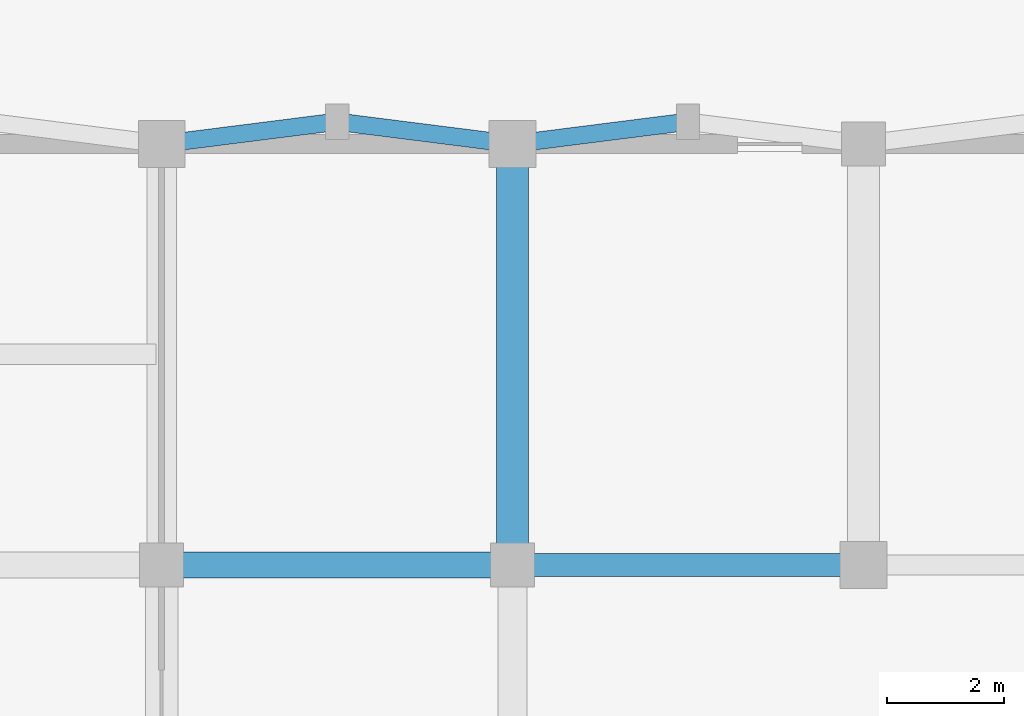
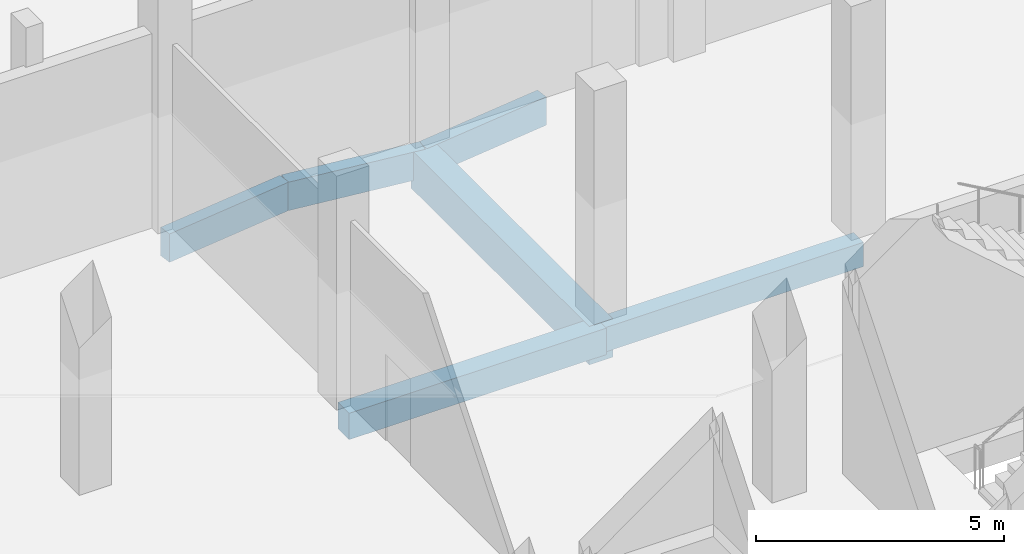
# One storey, part 43 of 103: 6 beams.
"""IFC4 building model written with IfcOpenShell, lengths in metres."""

from ifc_helpers import new_model, si_unit, direction, frame, origin, origin_2d, place, context, subcontext, project, spatial, rectangle, extrude, material, material_profile, profile_set, type_object, element, save


model = new_model("IFC4")

# Units and contexts
model_context = context("Model", 3, precision=1e-05, world=origin(), true_north=direction((0.0, 1.0)))
body_context = subcontext(model_context, "Body", "Model", "MODEL_VIEW")
ifc_project = project(units=[si_unit("LENGTHUNIT", "METRE"), si_unit("AREAUNIT", "SQUARE_METRE"), si_unit("VOLUMEUNIT", "CUBIC_METRE"), si_unit("PLANEANGLEUNIT", "RADIAN"), si_unit("MASSUNIT", "GRAM", prefix="KILO")], contexts=[model_context])

# Site, building, storey
site_placement = place(None, origin())
site = spatial("IfcSite", under=ifc_project, at=site_placement, CompositionType="ELEMENT")
building_placement = place(site_placement, origin())
building = spatial("IfcBuilding", under=site, at=building_placement, Name="Dunvalen Ferry Terminal", CompositionType="ELEMENT")
storey_placement = place(building_placement, origin())
storey = spatial("IfcBuildingStorey", under=building, at=storey_placement, Name="L00", CompositionType="ELEMENT", Elevation=0.0)

# Beams
ifc_material_1 = material(Name="Concrete C35/45", Category="concrete")
ifc_material_profile_1 = material_profile(ifc_material_1, rectangle(XDim=0.39990234375, YDim=0.60009765625, at=origin_2d()), Name="Concrete C35/45")
ifc_profile_set_1 = profile_set([ifc_material_profile_1], Name="Concrete C35/45")
beam_type_1 = type_object("IfcBeamType", Name="STR-BM-RCB600", PredefinedType="BEAM", material=ifc_profile_set_1)
beam_1_placement = place(storey_placement, frame((60.0, 28.800048828125, -0.60009765625), z_axis=(1.0, 0.0, 0.0), x_axis=(0.0, 1.0, 0.0)))
element("IfcBeam", 1, at=beam_1_placement, inside=storey, type_object=beam_type_1, Name="L00 V5P0 Primary Beam X-062", PredefinedType="BEAM", context=body_context, shape_type="SweptSolid", body=[
    extrude(rectangle(XDim=0.39990234375, YDim=0.60009765625, at=origin_2d()), origin(), (0.0, 0.0, 1.0), 6.0),
])
ifc_material_2 = material(Name="Concrete C40/50", Category="concrete")
ifc_material_profile_2 = material_profile(ifc_material_2, rectangle(XDim=0.449951171875, YDim=0.64990234375, at=origin_2d()), Name="Concrete C40/50")
ifc_profile_set_2 = profile_set([ifc_material_profile_2], Name="Concrete C40/50")
beam_type_2 = type_object("IfcBeamType", Name="STR-BM-RCB650W", PredefinedType="BEAM", material=ifc_profile_set_2)
beam_2_placement = place(storey_placement, frame((54.0, 28.800048828125, -0.625), z_axis=(1.0, 0.0, 0.0), x_axis=(0.0, 1.0, 0.0)))
element("IfcBeam", 2, at=beam_2_placement, inside=storey, type_object=beam_type_2, Name="L00 V5P0 Primary Beam X-061", PredefinedType="BEAM", context=body_context, shape_type="SweptSolid", body=[
    extrude(rectangle(XDim=0.449951171875, YDim=0.64990234375, at=origin_2d()), origin(), (0.0, 0.0, 1.0), 6.0),
])
ifc_material_profile_3 = material_profile(ifc_material_2, rectangle(XDim=0.550048828125, YDim=0.949951171875, at=origin_2d()), Name="Concrete C40/50")
ifc_profile_set_3 = profile_set([ifc_material_profile_3], Name="Concrete C40/50")
beam_type_3 = type_object("IfcBeamType", Name="STR-BM-RCG950", PredefinedType="BEAM", material=ifc_profile_set_3)
beam_3_placement = place(storey_placement, frame((60.0, 28.800048828125, -0.77490234375), z_axis=(0.0, 1.0, 0.0), x_axis=(-1.0, 0.0, 0.0)))
element("IfcBeam", 3, at=beam_3_placement, inside=storey, type_object=beam_type_3, Name="L00 V5P0 Primary Girder Y-120", PredefinedType="BEAM", context=body_context, shape_type="SweptSolid", body=[
    extrude(rectangle(XDim=0.550048828125, YDim=0.949951171875, at=origin_2d()), origin(), (0.0, 0.0, 1.0), 7.199951171875),
])
ifc_material_profile_4 = material_profile(ifc_material_2, rectangle(XDim=0.300048828125, YDim=0.699951171875, at=origin_2d()), Name="Concrete C40/50")
ifc_profile_set_4 = profile_set([ifc_material_profile_4], Name="Concrete C40/50")
beam_type_4 = type_object("IfcBeamType", Name="STR-BM-RCSP700", PredefinedType="SPANDREL", material=ifc_profile_set_4)
for number, where, z_axis, x_axis, name in (
    (4, (54.0, 36.0, -0.64990234375), (0.992077869489, 0.12562444376, 0.0), (-0.12562444376, 0.992077869489, 0.0), "L00 Passage Pilaster Spandrel Tie 08.1"),
    (5, (57.0, 36.3798828125, -0.64990234375), (0.992077869489, -0.12562444376, 0.0), (0.12562444376, 0.992077869489, 0.0), "L00 Passage Pilaster Spandrel Tie 08.2"),
    (6, (60.0, 36.0, -0.64990234375), (0.992077869489, 0.12562444376, 0.0), (-0.12562444376, 0.992077869489, 0.0), "L00 Passage Pilaster Spandrel Tie 09.1"),
):
    element("IfcBeam", number, at=place(storey_placement, frame(where, z_axis=z_axis, x_axis=x_axis)), inside=storey, type_object=beam_type_4, Name=name, PredefinedType="SPANDREL", context=body_context, shape_type="SweptSolid", body=[
        extrude(rectangle(XDim=0.300048828125, YDim=0.699951171875, at=origin_2d()), origin(), (0.0, 0.0, 1.0), 3.02392578125),
    ])

save(model, "model.ifc")
